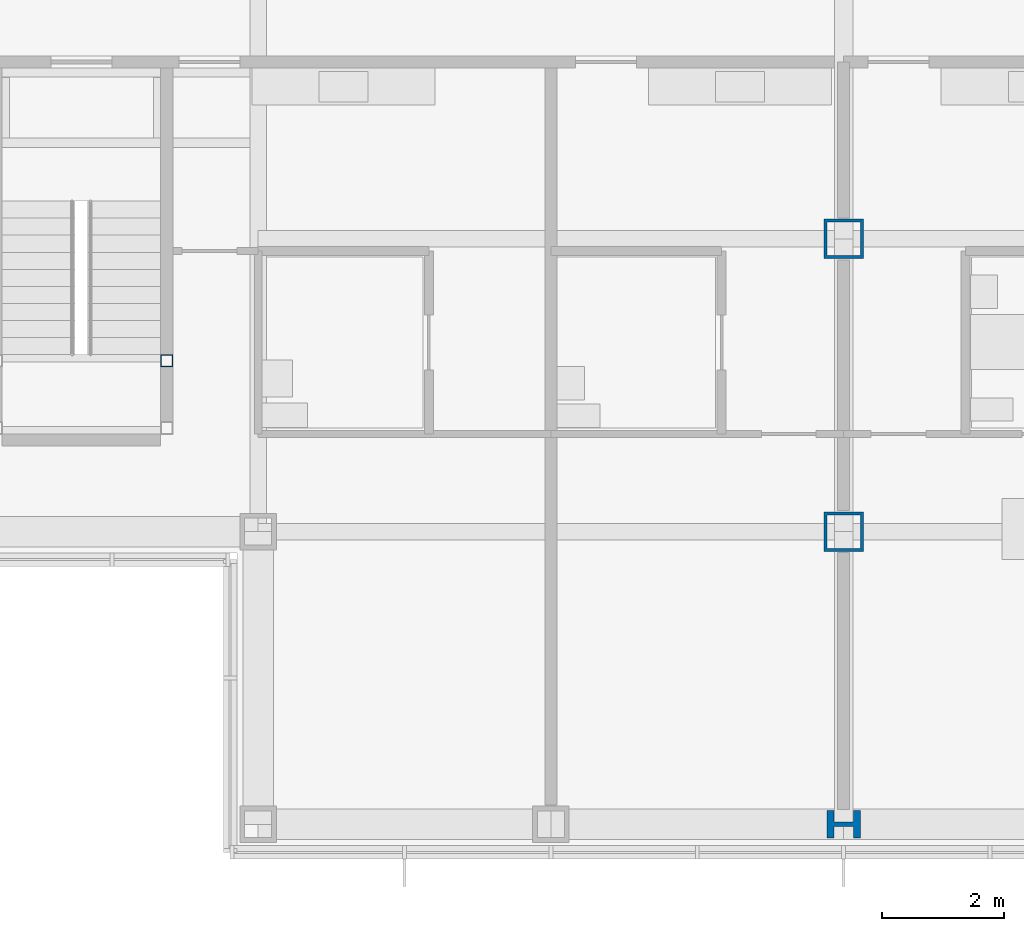
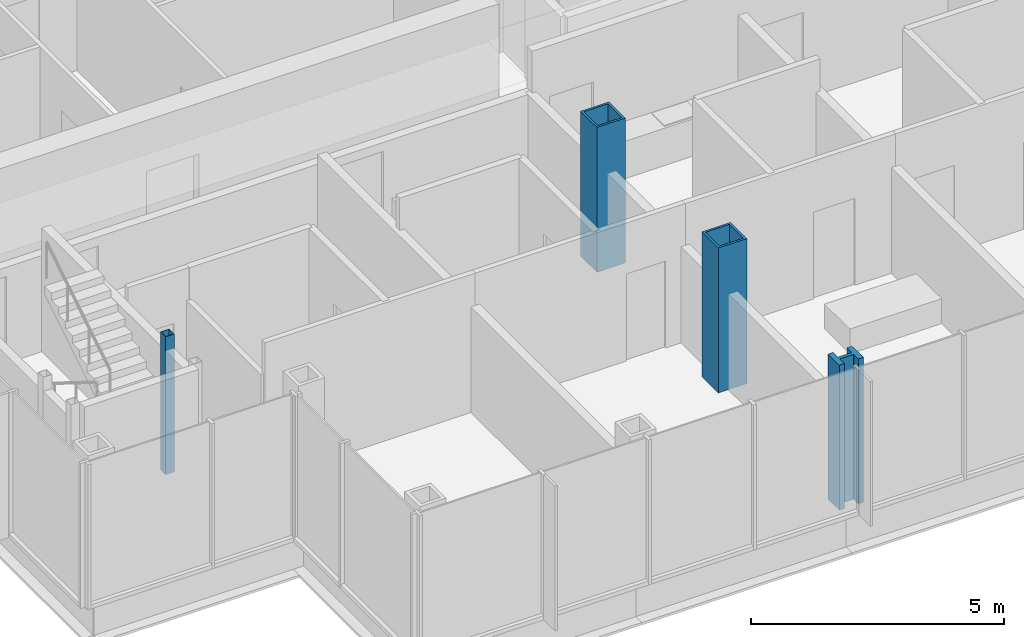
# One storey, part 2 of 20: 4 columns.
"""IFC4 building model written with IfcOpenShell, lengths in metres."""

from ifc_helpers import new_model, si_unit, direction, frame, origin, origin_2d, place, context, subcontext, project, spatial, hollow_rectangle, i_section, extrude, material, material_profile, profile_set, type_object, element, save


model = new_model("IFC4")

# Units and contexts
model_context = context("Model", 3, precision=1e-05, world=origin(), true_north=direction((0.0, 1.0)))
body_context = subcontext(model_context, "Body", "Model", "MODEL_VIEW")
ifc_project = project(units=[si_unit("LENGTHUNIT", "METRE"), si_unit("AREAUNIT", "SQUARE_METRE"), si_unit("VOLUMEUNIT", "CUBIC_METRE"), si_unit("PLANEANGLEUNIT", "RADIAN"), si_unit("MASSUNIT", "GRAM", prefix="KILO")], contexts=[model_context])

# Site, building, storey
site_placement = place(None, origin())
site = spatial("IfcSite", under=ifc_project, at=site_placement, CompositionType="ELEMENT")
building_placement = place(site_placement, origin())
building = spatial("IfcBuilding", under=site, at=building_placement, Name="Kvirike Care Tower", CompositionType="ELEMENT")
storey_placement = place(building_placement, frame((0.0, 0.0, 112.0)))
storey = spatial("IfcBuildingStorey", under=building, at=storey_placement, Name="L30", CompositionType="ELEMENT", Elevation=112.0)

# Columns
ifc_material_1 = material(Name="Steel S460", Category="steel")
ifc_material_profile_1 = material_profile(ifc_material_1, hollow_rectangle(XDim=0.64990234375, YDim=0.64990234375, WallThickness=0.050048828125, at=origin_2d()), Name="BX 650x650x50")
ifc_profile_set_1 = profile_set([ifc_material_profile_1], Name="Steel S460")
column_type_1 = type_object("IfcColumnType", Name="COLUMN BX 650x650x50", PredefinedType="COLUMN", material=ifc_profile_set_1)
for number, where, z_axis, x_axis, name in (
    (1, (28.800048828125, 19.199951171875, 0.0), (0.0, 0.0, 1.0), (1.0, 0.0, 0.0), "Column E9 L30"),
    (2, (28.800048828125, 24.0, 0.0), (0.0, 0.0, 1.0), (1.0, 0.0, 0.0), "Column F9 L30"),
):
    element("IfcColumn", number, at=place(storey_placement, frame(where, z_axis=z_axis, x_axis=x_axis)), inside=storey, type_object=column_type_1, Name=name, PredefinedType="COLUMN", context=body_context, shape_type="SweptSolid", body=[
        extrude(hollow_rectangle(XDim=0.64990234375, YDim=0.64990234375, WallThickness=0.050048828125, at=origin_2d()), origin(), (0.0, 0.0, 1.0), 3.5),
    ])
ifc_material_2 = material(Name="Steel S460", Category="steel")
ifc_material_profile_2 = material_profile(ifc_material_2, i_section(OverallWidth=0.447998046875, OverallDepth=0.550048828125, WebThickness=0.072021484375, FlangeThickness=0.114990234375, FilletRadius=0.014892578125, at=origin_2d()), Name="HD 400x990")
ifc_profile_set_2 = profile_set([ifc_material_profile_2], Name="Steel S460")
column_type_2 = type_object("IfcColumnType", Name="COLUMN HD 400x990", PredefinedType="COLUMN", material=ifc_profile_set_2)
column_1_placement = place(storey_placement, frame((28.800048828125, 14.39990234375, 0.0), z_axis=(0.0, 0.0, 1.0), x_axis=(0.0, 1.0, 0.0)))
element("IfcColumn", 3, at=column_1_placement, inside=storey, type_object=column_type_2, Name="Column D9 L30", PredefinedType="COLUMN", context=body_context, shape_type="SweptSolid", body=[
    extrude(i_section(OverallWidth=0.447998046875, OverallDepth=0.550048828125, WebThickness=0.072021484375, FlangeThickness=0.114990234375, FilletRadius=0.014892578125, at=origin_2d()), origin(), (0.0, 0.0, 1.0), 3.5),
])
ifc_material_3 = material(Name="Steel S460", Category="steel")
ifc_material_profile_3 = material_profile(ifc_material_3, hollow_rectangle(XDim=0.199951171875, YDim=0.199951171875, WallThickness=0.008056640625, at=origin_2d()), Name="SHS 200x200x8")
ifc_profile_set_3 = profile_set([ifc_material_profile_3], Name="Steel S460")
column_type_3 = type_object("IfcColumnType", Name="STAIR POST SHS 200x200x8", PredefinedType="COLUMN", material=ifc_profile_set_3)
column_2_placement = place(storey_placement, frame((17.699951171875, 22.0, 0.0), z_axis=(0.0, 0.0, 1.0), x_axis=(1.0, 0.0, 0.0)))
element("IfcColumn", 4, at=column_2_placement, inside=storey, type_object=column_type_3, Name="Stair 5 post 4 L30", PredefinedType="COLUMN", context=body_context, shape_type="SweptSolid", body=[
    extrude(hollow_rectangle(XDim=0.199951171875, YDim=0.199951171875, WallThickness=0.008056640625, at=origin_2d()), origin(), (0.0, 0.0, 1.0), 3.330078125),
])

save(model, "model.ifc")
